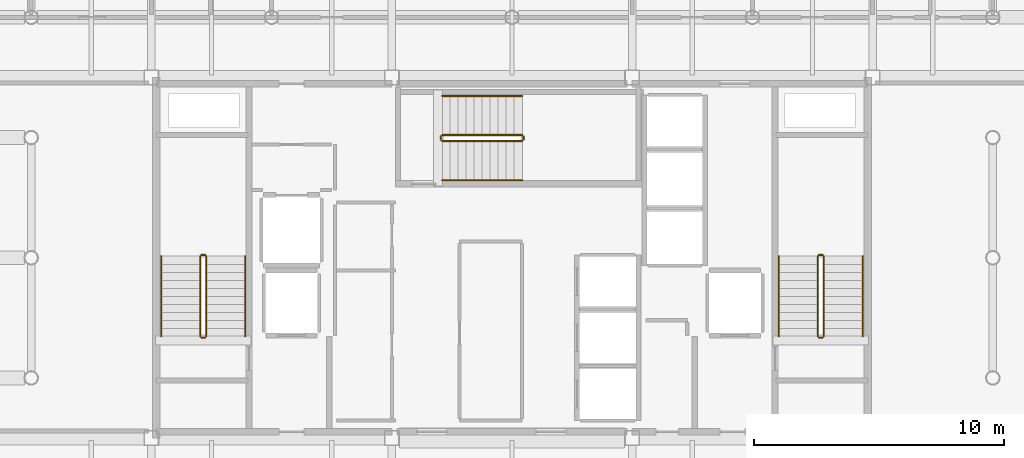
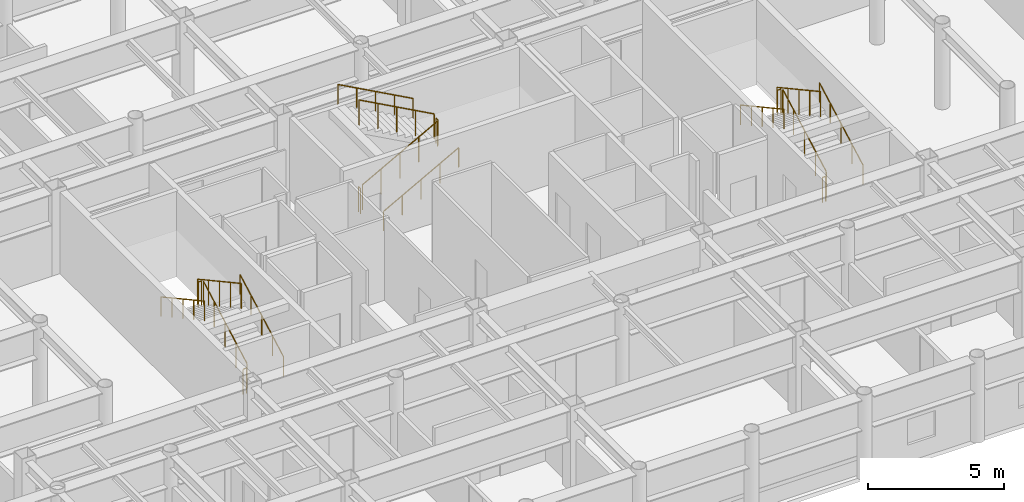
# One storey, part 27 of 27: 18 railings.
"""IFC4 building model written with IfcOpenShell, lengths in metres."""

from ifc_helpers import new_model, si_unit, direction, frame, origin, origin_2d, place, context, subcontext, project, spatial, circle, extrude, material, layer, layer_set, type_object, element, save


model = new_model("IFC4")

# Units and contexts
model_context = context("Model", 3, precision=1e-05, world=origin(), true_north=direction((0.0, 1.0)))
body_context = subcontext(model_context, "Body", "Model", "MODEL_VIEW")
ifc_project = project(units=[si_unit("LENGTHUNIT", "METRE"), si_unit("AREAUNIT", "SQUARE_METRE"), si_unit("VOLUMEUNIT", "CUBIC_METRE"), si_unit("PLANEANGLEUNIT", "RADIAN"), si_unit("MASSUNIT", "GRAM", prefix="KILO")], contexts=[model_context])

# Site, building, storey
site_placement = place(None, origin())
site = spatial("IfcSite", under=ifc_project, at=site_placement, CompositionType="ELEMENT")
building_placement = place(site_placement, origin())
building = spatial("IfcBuilding", under=site, at=building_placement, Name="Kallvorn Hotel Tower", CompositionType="ELEMENT")
storey_placement = place(building_placement, frame((0.0, 0.0, 245.39990234375)))
storey = spatial("IfcBuildingStorey", under=building, at=storey_placement, Name="L61", CompositionType="ELEMENT", Elevation=245.39990234375)

# Railings
ifc_material_1 = material(Name="Brushed stainless-steel tubular railing", Category="steel")
ifc_layer_1 = layer(ifc_material_1, 0.050048828125)
ifc_layer_set_1 = layer_set([ifc_layer_1], Name="RL_STAIR_GUARD")
railing_type_1 = type_object("IfcRailingType", Name="RL_STAIR_GUARD", PredefinedType="GUARDRAIL", material=ifc_layer_set_1)
railing_1_placement = place(storey_placement, frame((-12.2099609375, -3.139892578125, 0.175048828125)))
element("IfcRailing", 1, at=railing_1_placement, inside=storey, type_object=railing_type_1, Name="L61 ST1 stair guard 1", PredefinedType="GUARDRAIL", context=body_context, shape_type="SweptSolid", body=[
    extrude(circle(Radius=0.02392578125, at=origin_2d()), frame((0.0, 0.0, 1.1259765625), z_axis=(0.0, 0.877368057402, 0.479817977833), x_axis=(-1.0, 0.0, 0.0)), (0.0, 0.0, 1.0), 3.647216796875),
    extrude(circle(Radius=0.02099609375, at=origin_2d()), origin(), (0.0, 0.0, 1.0), 1.101806640625),
    extrude(circle(Radius=0.02099609375, at=origin_2d()), frame((0.0, 0.800048828125, 0.4375)), (0.0, 0.0, 1.0), 1.101806640625),
    extrude(circle(Radius=0.02099609375, at=origin_2d()), frame((0.0, 1.60009765625, 0.875)), (0.0, 0.0, 1.0), 1.101806640625),
    extrude(circle(Radius=0.02099609375, at=origin_2d()), frame((0.0, 2.39990234375, 1.3125)), (0.0, 0.0, 1.0), 1.101806640625),
    extrude(circle(Radius=0.02099609375, at=origin_2d()), frame((0.0, 3.199951171875, 1.75)), (0.0, 0.0, 1.0), 1.101806640625),
])
railing_2_placement = place(storey_placement, frame((-12.260009765625, 0.110107421875, 1.925048828125)))
element("IfcRailing", 2, at=railing_2_placement, inside=storey, type_object=railing_type_1, Name="L61 ST1 stair guard 2", PredefinedType="GUARDRAIL", context=body_context, shape_type="SweptSolid", body=[
    extrude(circle(Radius=0.02392578125, at=origin_2d()), frame((0.0, 0.0, 1.1259765625), z_axis=(-1.0, 0.0, 0.0), x_axis=(0.0, -1.0, 0.0)), (0.0, 0.0, 1.0), 0.139892578125),
    extrude(circle(Radius=0.02099609375, at=origin_2d()), origin(), (0.0, 0.0, 1.0), 1.101806640625),
    extrude(circle(Radius=0.02099609375, at=origin_2d()), frame((-0.139892578125, 0.0, 0.0)), (0.0, 0.0, 1.0), 1.101806640625),
])
railing_3_placement = place(storey_placement, frame((-12.449951171875, 0.06005859375, 2.10009765625)))
element("IfcRailing", 3, at=railing_3_placement, inside=storey, type_object=railing_type_1, Name="L61 ST1 stair guard 3", PredefinedType="GUARDRAIL", context=body_context, shape_type="SweptSolid", body=[
    extrude(circle(Radius=0.02392578125, at=origin_2d()), frame((0.0, 0.0, 1.1259765625), z_axis=(0.0, -0.877368057402, 0.479817977833), x_axis=(1.0, 0.0, 0.0)), (0.0, 0.0, 1.0), 3.647216796875),
    extrude(circle(Radius=0.02099609375, at=origin_2d()), origin(), (0.0, 0.0, 1.0), 1.101806640625),
    extrude(circle(Radius=0.02099609375, at=origin_2d()), frame((0.0, -0.800048828125, 0.4375)), (0.0, 0.0, 1.0), 1.101806640625),
    extrude(circle(Radius=0.02099609375, at=origin_2d()), frame((0.0, -1.60009765625, 0.875)), (0.0, 0.0, 1.0), 1.101806640625),
    extrude(circle(Radius=0.02099609375, at=origin_2d()), frame((0.0, -2.39990234375, 1.3125)), (0.0, 0.0, 1.0), 1.101806640625),
    extrude(circle(Radius=0.02099609375, at=origin_2d()), frame((0.0, -3.199951171875, 1.75)), (0.0, 0.0, 1.0), 1.101806640625),
])
railing_4_placement = place(storey_placement, frame((-12.260009765625, -3.18994140625, 0.0)))
element("IfcRailing", 4, at=railing_4_placement, inside=storey, type_object=railing_type_1, Name="L61 ST1 stair guard 4", PredefinedType="GUARDRAIL", context=body_context, shape_type="SweptSolid", body=[
    extrude(circle(Radius=0.02392578125, at=origin_2d()), frame((0.0, 0.0, 1.1259765625), z_axis=(-1.0, 0.0, 0.0), x_axis=(0.0, -1.0, 0.0)), (0.0, 0.0, 1.0), 0.139892578125),
    extrude(circle(Radius=0.02099609375, at=origin_2d()), origin(), (0.0, 0.0, 1.0), 1.101806640625),
    extrude(circle(Radius=0.02099609375, at=origin_2d()), frame((-0.139892578125, 0.0, 0.0)), (0.0, 0.0, 1.0), 1.101806640625),
])
railing_5_placement = place(storey_placement, frame((12.449951171875, -3.139892578125, 0.175048828125)))
element("IfcRailing", 5, at=railing_5_placement, inside=storey, type_object=railing_type_1, Name="L61 ST2 stair guard 1", PredefinedType="GUARDRAIL", context=body_context, shape_type="SweptSolid", body=[
    extrude(circle(Radius=0.02392578125, at=origin_2d()), frame((0.0, 0.0, 1.1259765625), z_axis=(0.0, 0.877368057402, 0.479817977833), x_axis=(-1.0, 0.0, 0.0)), (0.0, 0.0, 1.0), 3.647216796875),
    extrude(circle(Radius=0.02099609375, at=origin_2d()), origin(), (0.0, 0.0, 1.0), 1.101806640625),
    extrude(circle(Radius=0.02099609375, at=origin_2d()), frame((0.0, 0.800048828125, 0.4375)), (0.0, 0.0, 1.0), 1.101806640625),
    extrude(circle(Radius=0.02099609375, at=origin_2d()), frame((0.0, 1.60009765625, 0.875)), (0.0, 0.0, 1.0), 1.101806640625),
    extrude(circle(Radius=0.02099609375, at=origin_2d()), frame((0.0, 2.39990234375, 1.3125)), (0.0, 0.0, 1.0), 1.101806640625),
    extrude(circle(Radius=0.02099609375, at=origin_2d()), frame((0.0, 3.199951171875, 1.75)), (0.0, 0.0, 1.0), 1.101806640625),
])
railing_6_placement = place(storey_placement, frame((12.39990234375, 0.110107421875, 1.925048828125)))
element("IfcRailing", 6, at=railing_6_placement, inside=storey, type_object=railing_type_1, Name="L61 ST2 stair guard 2", PredefinedType="GUARDRAIL", context=body_context, shape_type="SweptSolid", body=[
    extrude(circle(Radius=0.02392578125, at=origin_2d()), frame((0.0, 0.0, 1.1259765625), z_axis=(-1.0, 0.0, 0.0), x_axis=(0.0, -1.0, 0.0)), (0.0, 0.0, 1.0), 0.139892578125),
    extrude(circle(Radius=0.02099609375, at=origin_2d()), origin(), (0.0, 0.0, 1.0), 1.101806640625),
    extrude(circle(Radius=0.02099609375, at=origin_2d()), frame((-0.139892578125, 0.0, 0.0)), (0.0, 0.0, 1.0), 1.101806640625),
])
railing_7_placement = place(storey_placement, frame((12.2099609375, 0.06005859375, 2.10009765625)))
element("IfcRailing", 7, at=railing_7_placement, inside=storey, type_object=railing_type_1, Name="L61 ST2 stair guard 3", PredefinedType="GUARDRAIL", context=body_context, shape_type="SweptSolid", body=[
    extrude(circle(Radius=0.02392578125, at=origin_2d()), frame((0.0, 0.0, 1.1259765625), z_axis=(0.0, -0.877368057402, 0.479817977833), x_axis=(1.0, 0.0, 0.0)), (0.0, 0.0, 1.0), 3.647216796875),
    extrude(circle(Radius=0.02099609375, at=origin_2d()), origin(), (0.0, 0.0, 1.0), 1.101806640625),
    extrude(circle(Radius=0.02099609375, at=origin_2d()), frame((0.0, -0.800048828125, 0.4375)), (0.0, 0.0, 1.0), 1.101806640625),
    extrude(circle(Radius=0.02099609375, at=origin_2d()), frame((0.0, -1.60009765625, 0.875)), (0.0, 0.0, 1.0), 1.101806640625),
    extrude(circle(Radius=0.02099609375, at=origin_2d()), frame((0.0, -2.39990234375, 1.3125)), (0.0, 0.0, 1.0), 1.101806640625),
    extrude(circle(Radius=0.02099609375, at=origin_2d()), frame((0.0, -3.199951171875, 1.75)), (0.0, 0.0, 1.0), 1.101806640625),
])
railing_8_placement = place(storey_placement, frame((12.39990234375, -3.18994140625, 0.0)))
element("IfcRailing", 8, at=railing_8_placement, inside=storey, type_object=railing_type_1, Name="L61 ST2 stair guard 4", PredefinedType="GUARDRAIL", context=body_context, shape_type="SweptSolid", body=[
    extrude(circle(Radius=0.02392578125, at=origin_2d()), frame((0.0, 0.0, 1.1259765625), z_axis=(-1.0, 0.0, 0.0), x_axis=(0.0, -1.0, 0.0)), (0.0, 0.0, 1.0), 0.139892578125),
    extrude(circle(Radius=0.02099609375, at=origin_2d()), origin(), (0.0, 0.0, 1.0), 1.101806640625),
    extrude(circle(Radius=0.02099609375, at=origin_2d()), frame((-0.139892578125, 0.0, 0.0)), (0.0, 0.0, 1.0), 1.101806640625),
])
railing_9_placement = place(storey_placement, frame((-2.7900390625, 4.659912109375, 0.175048828125)))
element("IfcRailing", 9, at=railing_9_placement, inside=storey, type_object=railing_type_1, Name="L61 ST3 stair guard 1", PredefinedType="GUARDRAIL", context=body_context, shape_type="SweptSolid", body=[
    extrude(circle(Radius=0.02392578125, at=origin_2d()), frame((0.0, 0.0, 1.1259765625), z_axis=(0.877368057402, 0.0, 0.479817977833), x_axis=(0.0, 1.0, 0.0)), (0.0, 0.0, 1.0), 3.647216796875),
    extrude(circle(Radius=0.02099609375, at=origin_2d()), origin(), (0.0, 0.0, 1.0), 1.101806640625),
    extrude(circle(Radius=0.02099609375, at=origin_2d()), frame((0.800048828125, 0.0, 0.4375)), (0.0, 0.0, 1.0), 1.101806640625),
    extrude(circle(Radius=0.02099609375, at=origin_2d()), frame((1.60009765625, 0.0, 0.875)), (0.0, 0.0, 1.0), 1.101806640625),
    extrude(circle(Radius=0.02099609375, at=origin_2d()), frame((2.39990234375, 0.0, 1.3125)), (0.0, 0.0, 1.0), 1.101806640625),
    extrude(circle(Radius=0.02099609375, at=origin_2d()), frame((3.199951171875, 0.0, 1.75)), (0.0, 0.0, 1.0), 1.101806640625),
])
railing_10_placement = place(storey_placement, frame((0.4599609375, 4.7099609375, 1.925048828125)))
element("IfcRailing", 10, at=railing_10_placement, inside=storey, type_object=railing_type_1, Name="L61 ST3 stair guard 2", PredefinedType="GUARDRAIL", context=body_context, shape_type="SweptSolid", body=[
    extrude(circle(Radius=0.02392578125, at=origin_2d()), frame((0.0, 0.0, 1.1259765625), z_axis=(0.0, 1.0, 0.0), x_axis=(-1.0, 0.0, 0.0)), (0.0, 0.0, 1.0), 0.14013671875),
    extrude(circle(Radius=0.02099609375, at=origin_2d()), origin(), (0.0, 0.0, 1.0), 1.101806640625),
    extrude(circle(Radius=0.02099609375, at=origin_2d()), frame((0.0, 0.14013671875, 0.0)), (0.0, 0.0, 1.0), 1.101806640625),
])
railing_11_placement = place(storey_placement, frame((0.409912109375, 4.89990234375, 2.10009765625)))
element("IfcRailing", 11, at=railing_11_placement, inside=storey, type_object=railing_type_1, Name="L61 ST3 stair guard 3", PredefinedType="GUARDRAIL", context=body_context, shape_type="SweptSolid", body=[
    extrude(circle(Radius=0.02392578125, at=origin_2d()), frame((0.0, 0.0, 1.1259765625), z_axis=(-0.877368057402, 0.0, 0.479817977833), x_axis=(0.0, -1.0, 0.0)), (0.0, 0.0, 1.0), 3.647216796875),
    extrude(circle(Radius=0.02099609375, at=origin_2d()), origin(), (0.0, 0.0, 1.0), 1.101806640625),
    extrude(circle(Radius=0.02099609375, at=origin_2d()), frame((-0.800048828125, 0.0, 0.4375)), (0.0, 0.0, 1.0), 1.101806640625),
    extrude(circle(Radius=0.02099609375, at=origin_2d()), frame((-1.60009765625, 0.0, 0.875)), (0.0, 0.0, 1.0), 1.101806640625),
    extrude(circle(Radius=0.02099609375, at=origin_2d()), frame((-2.39990234375, 0.0, 1.3125)), (0.0, 0.0, 1.0), 1.101806640625),
    extrude(circle(Radius=0.02099609375, at=origin_2d()), frame((-3.199951171875, 0.0, 1.75)), (0.0, 0.0, 1.0), 1.101806640625),
])
railing_12_placement = place(storey_placement, frame((-2.840087890625, 4.7099609375, 0.0)))
element("IfcRailing", 12, at=railing_12_placement, inside=storey, type_object=railing_type_1, Name="L61 ST3 stair guard 4", PredefinedType="GUARDRAIL", context=body_context, shape_type="SweptSolid", body=[
    extrude(circle(Radius=0.02392578125, at=origin_2d()), frame((0.0, 0.0, 1.1259765625), z_axis=(0.0, 1.0, 0.0), x_axis=(-1.0, 0.0, 0.0)), (0.0, 0.0, 1.0), 0.14013671875),
    extrude(circle(Radius=0.02099609375, at=origin_2d()), origin(), (0.0, 0.0, 1.0), 1.101806640625),
    extrude(circle(Radius=0.02099609375, at=origin_2d()), frame((0.0, 0.14013671875, 0.0)), (0.0, 0.0, 1.0), 1.101806640625),
])
ifc_material_2 = material(Name="Brushed stainless-steel tubular railing", Category="steel")
ifc_layer_2 = layer(ifc_material_2, 0.050048828125)
ifc_layer_set_2 = layer_set([ifc_layer_2], Name="RL_STAIR_HAND")
railing_type_2 = type_object("IfcRailingType", Name="RL_STAIR_HAND", PredefinedType="HANDRAIL", material=ifc_layer_set_2)
railing_13_placement = place(storey_placement, frame((-10.64990234375, -3.139892578125, 0.175048828125)))
element("IfcRailing", 13, at=railing_13_placement, inside=storey, type_object=railing_type_2, Name="L61 ST1 stair handrail 1", PredefinedType="HANDRAIL", context=body_context, shape_type="SweptSolid", body=[
    extrude(circle(Radius=0.02392578125, at=origin_2d()), frame((0.0, 0.0, 0.8759765625), z_axis=(0.0, 0.877368057402, 0.479817977833), x_axis=(-1.0, 0.0, 0.0)), (0.0, 0.0, 1.0), 3.647216796875),
    extrude(circle(Radius=0.02099609375, at=origin_2d()), origin(), (0.0, 0.0, 1.0), 0.851806640625),
    extrude(circle(Radius=0.02099609375, at=origin_2d()), frame((0.0, 0.800048828125, 0.4375)), (0.0, 0.0, 1.0), 0.851806640625),
    extrude(circle(Radius=0.02099609375, at=origin_2d()), frame((0.0, 1.60009765625, 0.875)), (0.0, 0.0, 1.0), 0.851806640625),
    extrude(circle(Radius=0.02099609375, at=origin_2d()), frame((0.0, 2.39990234375, 1.3125)), (0.0, 0.0, 1.0), 0.851806640625),
    extrude(circle(Radius=0.02099609375, at=origin_2d()), frame((0.0, 3.199951171875, 1.75)), (0.0, 0.0, 1.0), 0.851806640625),
])
railing_14_placement = place(storey_placement, frame((-14.010009765625, 0.06005859375, 2.10009765625)))
element("IfcRailing", 14, at=railing_14_placement, inside=storey, type_object=railing_type_2, Name="L61 ST1 stair handrail 2", PredefinedType="HANDRAIL", context=body_context, shape_type="SweptSolid", body=[
    extrude(circle(Radius=0.02392578125, at=origin_2d()), frame((0.0, 0.0, 0.8759765625), z_axis=(0.0, -0.877368057402, 0.479817977833), x_axis=(1.0, 0.0, 0.0)), (0.0, 0.0, 1.0), 3.647216796875),
    extrude(circle(Radius=0.02099609375, at=origin_2d()), origin(), (0.0, 0.0, 1.0), 0.851806640625),
    extrude(circle(Radius=0.02099609375, at=origin_2d()), frame((0.0, -0.800048828125, 0.4375)), (0.0, 0.0, 1.0), 0.851806640625),
    extrude(circle(Radius=0.02099609375, at=origin_2d()), frame((0.0, -1.60009765625, 0.875)), (0.0, 0.0, 1.0), 0.851806640625),
    extrude(circle(Radius=0.02099609375, at=origin_2d()), frame((0.0, -2.39990234375, 1.3125)), (0.0, 0.0, 1.0), 0.851806640625),
    extrude(circle(Radius=0.02099609375, at=origin_2d()), frame((0.0, -3.199951171875, 1.75)), (0.0, 0.0, 1.0), 0.851806640625),
])
railing_15_placement = place(storey_placement, frame((14.010009765625, -3.139892578125, 0.175048828125)))
element("IfcRailing", 15, at=railing_15_placement, inside=storey, type_object=railing_type_2, Name="L61 ST2 stair handrail 1", PredefinedType="HANDRAIL", context=body_context, shape_type="SweptSolid", body=[
    extrude(circle(Radius=0.02392578125, at=origin_2d()), frame((0.0, 0.0, 0.8759765625), z_axis=(0.0, 0.877368057402, 0.479817977833), x_axis=(-1.0, 0.0, 0.0)), (0.0, 0.0, 1.0), 3.647216796875),
    extrude(circle(Radius=0.02099609375, at=origin_2d()), origin(), (0.0, 0.0, 1.0), 0.851806640625),
    extrude(circle(Radius=0.02099609375, at=origin_2d()), frame((0.0, 0.800048828125, 0.4375)), (0.0, 0.0, 1.0), 0.851806640625),
    extrude(circle(Radius=0.02099609375, at=origin_2d()), frame((0.0, 1.60009765625, 0.875)), (0.0, 0.0, 1.0), 0.851806640625),
    extrude(circle(Radius=0.02099609375, at=origin_2d()), frame((0.0, 2.39990234375, 1.3125)), (0.0, 0.0, 1.0), 0.851806640625),
    extrude(circle(Radius=0.02099609375, at=origin_2d()), frame((0.0, 3.199951171875, 1.75)), (0.0, 0.0, 1.0), 0.851806640625),
])
railing_16_placement = place(storey_placement, frame((10.64990234375, 0.06005859375, 2.10009765625)))
element("IfcRailing", 16, at=railing_16_placement, inside=storey, type_object=railing_type_2, Name="L61 ST2 stair handrail 2", PredefinedType="HANDRAIL", context=body_context, shape_type="SweptSolid", body=[
    extrude(circle(Radius=0.02392578125, at=origin_2d()), frame((0.0, 0.0, 0.8759765625), z_axis=(0.0, -0.877368057402, 0.479817977833), x_axis=(1.0, 0.0, 0.0)), (0.0, 0.0, 1.0), 3.647216796875),
    extrude(circle(Radius=0.02099609375, at=origin_2d()), origin(), (0.0, 0.0, 1.0), 0.851806640625),
    extrude(circle(Radius=0.02099609375, at=origin_2d()), frame((0.0, -0.800048828125, 0.4375)), (0.0, 0.0, 1.0), 0.851806640625),
    extrude(circle(Radius=0.02099609375, at=origin_2d()), frame((0.0, -1.60009765625, 0.875)), (0.0, 0.0, 1.0), 0.851806640625),
    extrude(circle(Radius=0.02099609375, at=origin_2d()), frame((0.0, -2.39990234375, 1.3125)), (0.0, 0.0, 1.0), 0.851806640625),
    extrude(circle(Radius=0.02099609375, at=origin_2d()), frame((0.0, -3.199951171875, 1.75)), (0.0, 0.0, 1.0), 0.851806640625),
])
railing_17_placement = place(storey_placement, frame((-2.7900390625, 3.10009765625, 0.175048828125)))
element("IfcRailing", 17, at=railing_17_placement, inside=storey, type_object=railing_type_2, Name="L61 ST3 stair handrail 1", PredefinedType="HANDRAIL", context=body_context, shape_type="SweptSolid", body=[
    extrude(circle(Radius=0.02392578125, at=origin_2d()), frame((0.0, 0.0, 0.8759765625), z_axis=(0.877368057402, 0.0, 0.479817977833), x_axis=(0.0, 1.0, 0.0)), (0.0, 0.0, 1.0), 3.647216796875),
    extrude(circle(Radius=0.02099609375, at=origin_2d()), origin(), (0.0, 0.0, 1.0), 0.851806640625),
    extrude(circle(Radius=0.02099609375, at=origin_2d()), frame((0.800048828125, 0.0, 0.4375)), (0.0, 0.0, 1.0), 0.851806640625),
    extrude(circle(Radius=0.02099609375, at=origin_2d()), frame((1.60009765625, 0.0, 0.875)), (0.0, 0.0, 1.0), 0.851806640625),
    extrude(circle(Radius=0.02099609375, at=origin_2d()), frame((2.39990234375, 0.0, 1.3125)), (0.0, 0.0, 1.0), 0.851806640625),
    extrude(circle(Radius=0.02099609375, at=origin_2d()), frame((3.199951171875, 0.0, 1.75)), (0.0, 0.0, 1.0), 0.851806640625),
])
railing_18_placement = place(storey_placement, frame((0.409912109375, 6.4599609375, 2.10009765625)))
element("IfcRailing", 18, at=railing_18_placement, inside=storey, type_object=railing_type_2, Name="L61 ST3 stair handrail 2", PredefinedType="HANDRAIL", context=body_context, shape_type="SweptSolid", body=[
    extrude(circle(Radius=0.02392578125, at=origin_2d()), frame((0.0, 0.0, 0.8759765625), z_axis=(-0.877368057402, 0.0, 0.479817977833), x_axis=(0.0, -1.0, 0.0)), (0.0, 0.0, 1.0), 3.647216796875),
    extrude(circle(Radius=0.02099609375, at=origin_2d()), origin(), (0.0, 0.0, 1.0), 0.851806640625),
    extrude(circle(Radius=0.02099609375, at=origin_2d()), frame((-0.800048828125, 0.0, 0.4375)), (0.0, 0.0, 1.0), 0.851806640625),
    extrude(circle(Radius=0.02099609375, at=origin_2d()), frame((-1.60009765625, 0.0, 0.875)), (0.0, 0.0, 1.0), 0.851806640625),
    extrude(circle(Radius=0.02099609375, at=origin_2d()), frame((-2.39990234375, 0.0, 1.3125)), (0.0, 0.0, 1.0), 0.851806640625),
    extrude(circle(Radius=0.02099609375, at=origin_2d()), frame((-3.199951171875, 0.0, 1.75)), (0.0, 0.0, 1.0), 0.851806640625),
])

save(model, "model.ifc")
